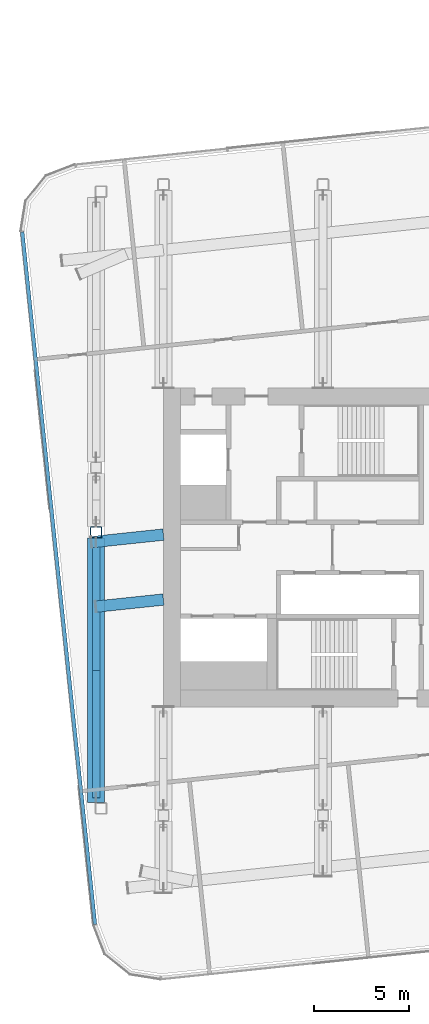
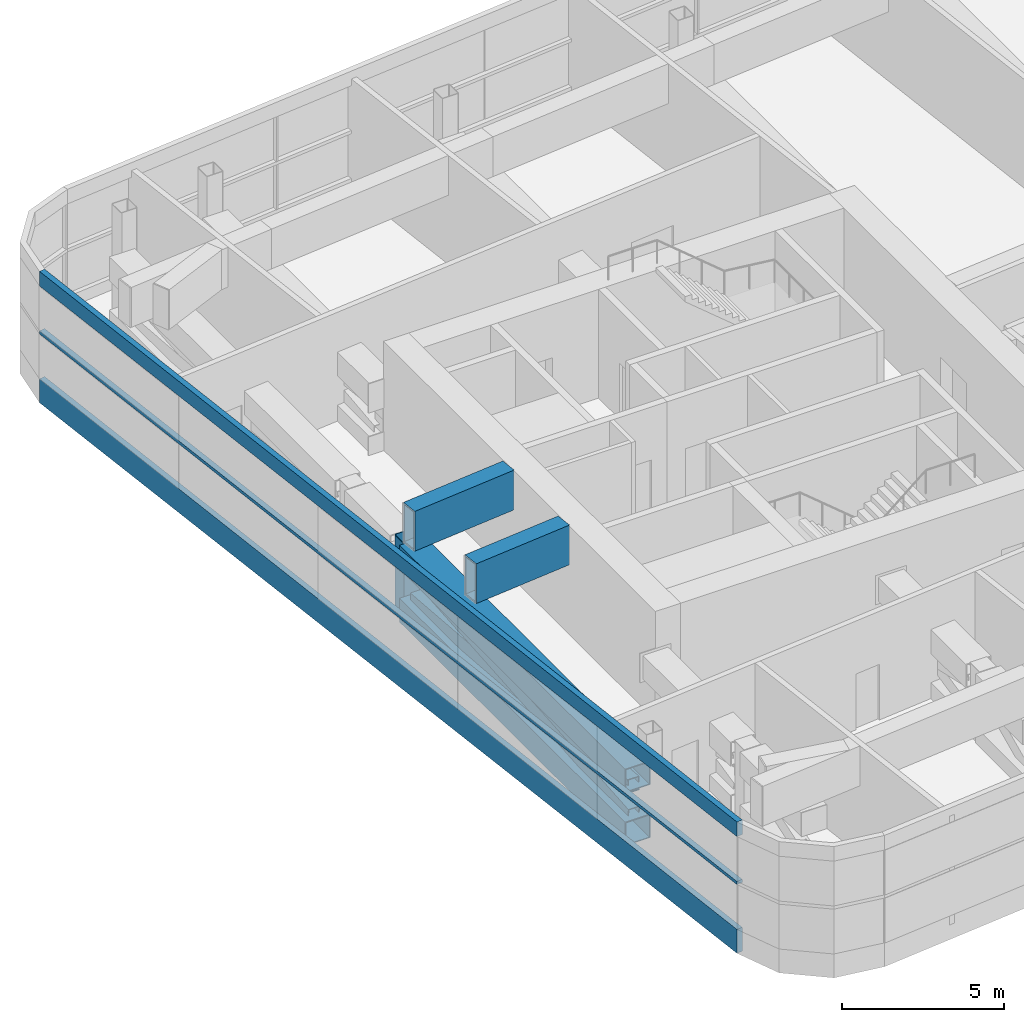
# One storey, part 3 of 33: 8 members, 2 beams, 1 element without a shape of its own.
"""IFC4 building model written with IfcOpenShell, lengths in metres."""

from ifc_helpers import new_model, si_unit, direction, frame, origin, origin_2d, place, context, subcontext, project, spatial, rectangle, hollow_rectangle, extrude, material, layer, layer_set, material_profile, profile_set, type_object, element, aggregate, save


model = new_model("IFC4")

# Units and contexts
model_context = context("Model", 3, precision=1e-05, world=origin(), true_north=direction((0.0, 1.0)))
body_context = subcontext(model_context, "Body", "Model", "MODEL_VIEW")
ifc_project = project(units=[si_unit("LENGTHUNIT", "METRE"), si_unit("AREAUNIT", "SQUARE_METRE"), si_unit("VOLUMEUNIT", "CUBIC_METRE"), si_unit("PLANEANGLEUNIT", "RADIAN"), si_unit("MASSUNIT", "GRAM", prefix="KILO")], contexts=[model_context])

# Site, building, storey
site_placement = place(None, origin())
site = spatial("IfcSite", under=ifc_project, at=site_placement, CompositionType="ELEMENT")
building_placement = place(site_placement, origin())
building = spatial("IfcBuilding", under=site, at=building_placement, Name="Hakoniwa Tower and Hamabe Station Hall", CompositionType="ELEMENT")
storey_placement = place(building_placement, frame((0.0, 0.0, 228.199951171875)))
storey = spatial("IfcBuildingStorey", under=building, at=storey_placement, Name="L65", CompositionType="ELEMENT", Elevation=228.199951171875)

# Curtain wall, members
ifc_material_1 = material(Name="Dark low-e laminated glass", Category="glass")
ifc_layer = layer(ifc_material_1, 0.199951171875)
ifc_layer_set = layer_set([ifc_layer], Name="CW-6 PLANT LOUVRE")
curtain_wall_type = type_object("IfcCurtainWallType", Name="CW-6 PLANT LOUVRE", PredefinedType="NOTDEFINED", material=ifc_layer_set)
curtain_wall_placement = place(storey_placement, origin())
curtain_wall = element("IfcCurtainWall", 1, at=curtain_wall_placement, inside=storey, type_object=curtain_wall_type, Name="CW-6 curtain wall", PredefinedType="NOTDEFINED")
ifc_material_2 = material(Name="Aluminium 6063-T5 black anodised", Category="aluminium")
ifc_material_profile_1 = material_profile(ifc_material_2, rectangle(XDim=0.199951171875, YDim=0.550048828125, at=origin_2d()), Name="CW HEAD BAND 550X200")
ifc_profile_set_1 = profile_set([ifc_material_profile_1], Name="Aluminium 6063-T5 black anodised")
member_type_1 = type_object("IfcMemberType", Name="CW HEAD BAND 550X200", PredefinedType="USERDEFINED", material=ifc_profile_set_1)
member_1_placement = place(storey_placement, frame((-41.03515625, 16.617919921875, 4.125), z_axis=(0.104522890267, -0.994522481099, 0.0), x_axis=(0.994522481099, 0.104522890267, 0.0)))
member_1 = element("IfcMember", 2, at=member_1_placement, type_object=member_type_1, Name="CW-6 transom", ObjectType="TRANSOM", PredefinedType="USERDEFINED", context=body_context, shape_type="SweptSolid", body=[
    extrude(rectangle(XDim=0.199951171875, YDim=0.550048828125, at=origin_2d()), origin(), (0.0, 0.0, 1.0), 36.65966796875),
])
ifc_material_3 = material(Name="Aluminium 6063-T5 black anodised", Category="aluminium")
ifc_material_profile_2 = material_profile(ifc_material_3, rectangle(XDim=0.199951171875, YDim=0.1201171875, at=origin_2d()), Name="CW MID TRANSOM 120X200")
ifc_profile_set_2 = profile_set([ifc_material_profile_2], Name="Aluminium 6063-T5 black anodised")
member_type_2 = type_object("IfcMemberType", Name="CW MID TRANSOM 120X200", PredefinedType="USERDEFINED", material=ifc_profile_set_2)
member_2_placement = place(storey_placement, frame((-41.03515625, 16.617919921875, 2.10009765625), z_axis=(0.104522890267, -0.994522481099, 0.0), x_axis=(0.994522481099, 0.104522890267, 0.0)))
member_2 = element("IfcMember", 3, at=member_2_placement, type_object=member_type_2, Name="CW-6 transom", ObjectType="TRANSOM", PredefinedType="USERDEFINED", context=body_context, shape_type="SweptSolid", body=[
    extrude(rectangle(XDim=0.199951171875, YDim=0.1201171875, at=origin_2d()), origin(), (0.0, 0.0, 1.0), 36.65966796875),
])
ifc_material_4 = material(Name="Aluminium 6063-T5 black anodised", Category="aluminium")
ifc_material_profile_3 = material_profile(ifc_material_4, rectangle(XDim=0.199951171875, YDim=0.89990234375, at=origin_2d()), Name="CW SLAB-EDGE BAND 900X200")
ifc_profile_set_3 = profile_set([ifc_material_profile_3], Name="Aluminium 6063-T5 black anodised")
member_type_3 = type_object("IfcMemberType", Name="CW SLAB-EDGE BAND 900X200", PredefinedType="USERDEFINED", material=ifc_profile_set_3)
member_3_placement = place(storey_placement, frame((-41.03515625, 16.617919921875, -0.099853515625), z_axis=(0.104522890267, -0.994522481099, 0.0), x_axis=(0.994522481099, 0.104522890267, 0.0)))
member_3 = element("IfcMember", 4, at=member_3_placement, type_object=member_type_3, Name="CW-6 transom", ObjectType="TRANSOM", PredefinedType="USERDEFINED", context=body_context, shape_type="SweptSolid", body=[
    extrude(rectangle(XDim=0.199951171875, YDim=0.89990234375, at=origin_2d()), origin(), (0.0, 0.0, 1.0), 36.65966796875),
])
aggregate(curtain_wall, [member_3, member_2, member_1])

# Beams
ifc_material_5 = material(Name="Steel SN490C", Category="steel")
ifc_material_profile_4 = material_profile(ifc_material_5, hollow_rectangle(XDim=0.60009765625, YDim=1.5, WallThickness=0.054931640625, at=origin_2d()), Name="BX-1500x600x55")
ifc_profile_set_4 = profile_set([ifc_material_profile_4], Name="Steel SN490C")
beam_type = type_object("IfcBeamType", Name="TRANSFER GIRDER BX-1500x600x55", PredefinedType="BEAM", material=ifc_profile_set_4)
beam_1_placement = place(storey_placement, frame((-37.138916015625, -3.11279296875, 3.35009765625), z_axis=(0.994518227854, 0.104563351449, 0.0), x_axis=(-0.104563351449, 0.994518227854, 0.0)))
element("IfcBeam", 5, at=beam_1_placement, inside=storey, type_object=beam_type, Name="Truss T4-S-C5-G1", PredefinedType="BEAM", context=body_context, shape_type="SweptSolid", body=[
    extrude(hollow_rectangle(XDim=0.60009765625, YDim=1.5, WallThickness=0.054931640625, at=origin_2d()), origin(), (0.0, 0.0, 1.0), 3.558349609375),
])
beam_2_placement = place(storey_placement, frame((-37.373046875, 0.281005859375, 3.35009765625), z_axis=(0.994523774093, 0.104510586847, 0.0), x_axis=(-0.104510586847, 0.994523774093, 0.0)))
element("IfcBeam", 6, at=beam_2_placement, inside=storey, type_object=beam_type, Name="Truss T4-S-D5-G1", PredefinedType="BEAM", context=body_context, shape_type="SweptSolid", body=[
    extrude(hollow_rectangle(XDim=0.60009765625, YDim=1.5, WallThickness=0.054931640625, at=origin_2d()), origin(), (0.0, 0.0, 1.0), 3.793701171875),
])

# Members
ifc_material_6 = material(Name="Steel SN490C", Category="steel")
ifc_material_profile_5 = material_profile(ifc_material_6, hollow_rectangle(XDim=0.89990234375, YDim=0.89990234375, WallThickness=0.035888671875, at=origin_2d()), Name="BX-900x900x36")
ifc_profile_set_5 = profile_set([ifc_material_profile_5], Name="Steel SN490C")
member_type_4 = type_object("IfcMemberType", Name="TRUSS CHORD BX-900x900x36", PredefinedType="CHORD", material=ifc_profile_set_5)
for number, where, z_axis, x_axis, name in (
    (7, (-37.138916015625, -13.427978515625, 0.150146484375), (0.0, 1.0, 0.0), (-1.0, 0.0, 0.0), "Truss T4-01-BC01"),
    (8, (-37.138916015625, -13.427978515625, 2.150146484375), (0.0, 1.0, 0.0), (-1.0, 0.0, 0.0), "Truss T4-01-TC01"),
):
    element("IfcMember", number, at=place(storey_placement, frame(where, z_axis=z_axis, x_axis=x_axis)), inside=storey, type_object=member_type_4, Name=name, PredefinedType="CHORD", context=body_context, shape_type="SweptSolid", body=[
        extrude(hollow_rectangle(XDim=0.89990234375, YDim=0.89990234375, WallThickness=0.035888671875, at=origin_2d()), origin(), (0.0, 0.0, 1.0), 13.927978515625),
    ])
ifc_material_7 = material(Name="Steel SN490C", Category="steel")
ifc_material_profile_6 = material_profile(ifc_material_7, hollow_rectangle(XDim=0.39990234375, YDim=0.5, WallThickness=0.02197265625, at=origin_2d()), Name="BX-500x400x22")
ifc_profile_set_6 = profile_set([ifc_material_profile_6], Name="Steel SN490C")
member_type_5 = type_object("IfcMemberType", Name="TRUSS DIAGONAL BX-500x400x22", PredefinedType="BRACE", material=ifc_profile_set_6)
for number, where, z_axis, x_axis, name in (
    (9, (-37.138916015625, -13.177978515625, 0.60009765625), (0.0, 0.996662356859, 0.081634223335), (-1.0, 0.0, 0.0), "Truss T4-01-D01a"),
    (10, (-37.138916015625, -13.177978515625, 1.699951171875), (0.0, 0.996662356859, -0.081634223335), (-1.0, 0.0, 0.0), "Truss T4-01-D01b"),
):
    element("IfcMember", number, at=place(storey_placement, frame(where, z_axis=z_axis, x_axis=x_axis)), inside=storey, type_object=member_type_5, Name=name, PredefinedType="BRACE", context=body_context, shape_type="SweptSolid", body=[
        extrude(hollow_rectangle(XDim=0.39990234375, YDim=0.5, WallThickness=0.02197265625, at=origin_2d()), origin(), (0.0, 0.0, 1.0), 13.472900390625),
    ])
ifc_material_8 = material(Name="Steel BCP325", Category="steel")
ifc_material_profile_7 = material_profile(ifc_material_8, hollow_rectangle(XDim=0.60009765625, YDim=0.60009765625, WallThickness=0.02490234375, InnerFilletRadius=0.03759765625, OuterFilletRadius=0.0625, at=origin_2d()), Name="BCP-600x600x25")
ifc_profile_set_7 = profile_set([ifc_material_profile_7], Name="Steel BCP325")
member_type_6 = type_object("IfcMemberType", Name="TRUSS POST BCP-600x600x25", PredefinedType="POST", material=ifc_profile_set_7)
member_4_placement = place(storey_placement, frame((-37.138916015625, 0.800048828125, -0.300048828125), z_axis=(0.0, 0.0, 1.0), x_axis=(1.0, 0.0, 0.0)))
element("IfcMember", 11, at=member_4_placement, inside=storey, type_object=member_type_6, Name="Truss T4-01-P02", PredefinedType="POST", context=body_context, shape_type="SweptSolid", body=[
    extrude(hollow_rectangle(XDim=0.60009765625, YDim=0.60009765625, WallThickness=0.02490234375, InnerFilletRadius=0.03759765625, OuterFilletRadius=0.0625, at=origin_2d()), origin(), (0.0, 0.0, 1.0), 2.900146484375),
])

save(model, "model.ifc")
